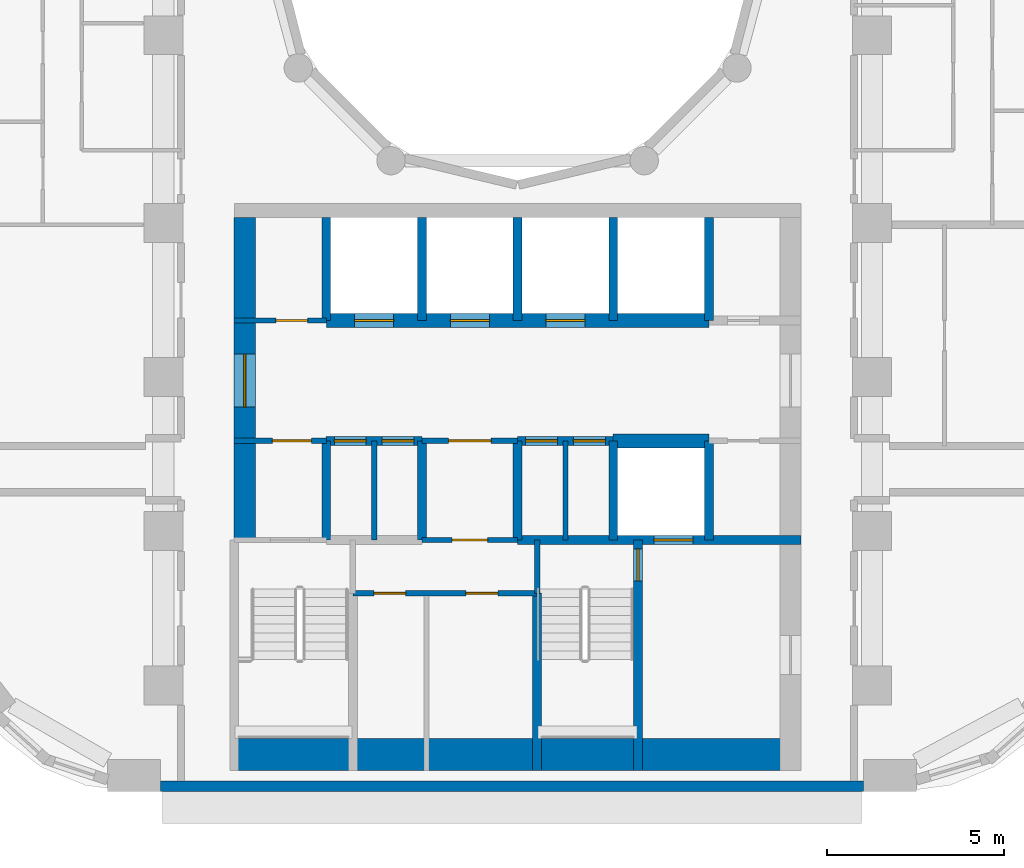
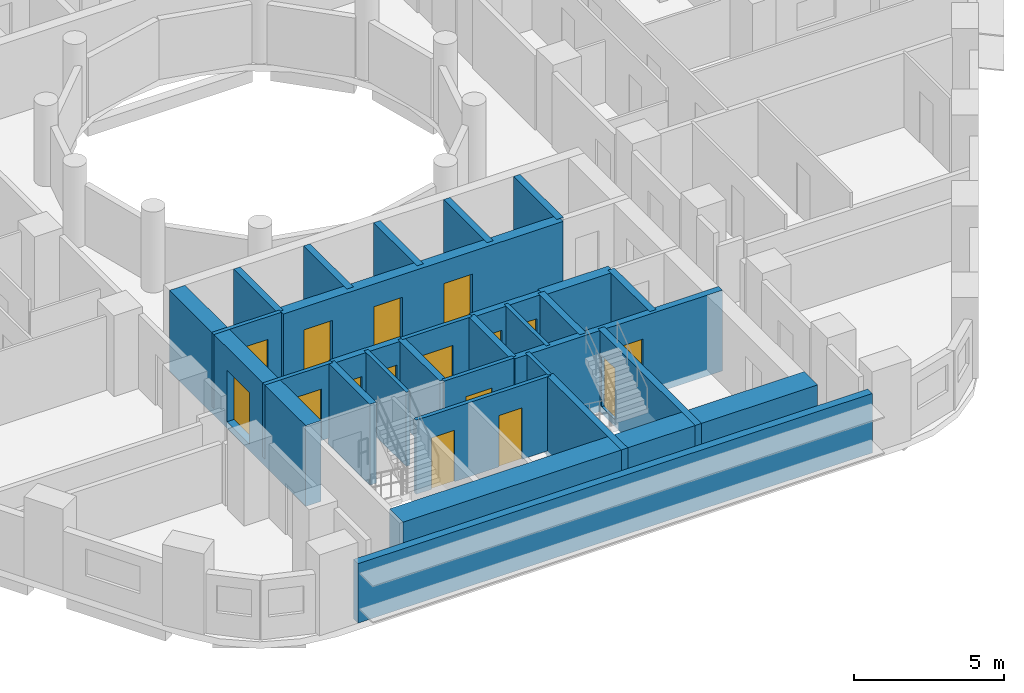
# One storey, part 3 of 12: 28 walls, 16 doors, 16 openings.
"""IFC4 building model written with IfcOpenShell, lengths in metres."""

from ifc_helpers import new_model, si_unit, direction, frame, frame_2d, origin, place, context, subcontext, project, spatial, rectangle, extrude, material, layer, layer_set, type_object, element, fill, save


model = new_model("IFC4")

# Units and contexts
model_context = context("Model", 3, precision=1e-05, world=origin(), true_north=direction((0.0, 1.0)))
body_context = subcontext(model_context, "Body", "Model", "MODEL_VIEW")
ifc_project = project(units=[si_unit("LENGTHUNIT", "METRE"), si_unit("AREAUNIT", "SQUARE_METRE"), si_unit("VOLUMEUNIT", "CUBIC_METRE"), si_unit("PLANEANGLEUNIT", "RADIAN"), si_unit("MASSUNIT", "GRAM", prefix="KILO")], contexts=[model_context])

# Site, building, storey
site_placement = place(None, origin())
site = spatial("IfcSite", under=ifc_project, at=site_placement, CompositionType="ELEMENT")
building_placement = place(site_placement, origin())
building = spatial("IfcBuilding", under=site, at=building_placement, Name="Nakaniwa Court", CompositionType="ELEMENT")
storey_placement = place(building_placement, frame((0.0, 0.0, 54.60009765625)))
storey = spatial("IfcBuildingStorey", under=building, at=storey_placement, Name="L14", CompositionType="ELEMENT", Elevation=54.60009765625)

# Wall
ifc_material_1 = material(Name="Charcoal ceramic cladding")
ifc_layer_1 = layer(ifc_material_1, 0.02, Name="Ceramic cladding")
ifc_material_2 = material(Name="Ventilated air cavity")
ifc_layer_2 = layer(ifc_material_2, 0.04, ventilated=True, Name="Ventilated cavity")
ifc_material_3 = material(Name="Mineral wool insulation")
ifc_layer_3 = layer(ifc_material_3, 0.1, Name="Insulation")
ifc_material_4 = material(Name="Cement bonded sheathing board")
ifc_layer_4 = layer(ifc_material_4, 0.012, Name="Sheathing")
ifc_material_5 = material(Name="Cold-formed galvanised stud frame with mineral wool infill")
ifc_layer_5 = layer(ifc_material_5, 0.1, Name="Stud frame")
ifc_material_6 = material(Name="Fire-rated gypsum plasterboard lining")
ifc_layer_6 = layer(ifc_material_6, 0.028, Name="Lining")
ifc_layer_set_1 = layer_set([ifc_layer_1, ifc_layer_2, ifc_layer_3, ifc_layer_4, ifc_layer_5, ifc_layer_6], Name="Charcoal ceramic faced external wall system")
wall_type_1 = type_object("IfcWallType", Name="Black ceramic faced external wall 300", PredefinedType="SOLIDWALL", material=ifc_layer_set_1)
wall_1_placement = place(storey_placement, frame((69.92138671875, 56.14990234375, 0.0), z_axis=(0.0, 0.0, 1.0), x_axis=(1.0, 0.0, 0.0)))
element("IfcWall", 1, at=wall_1_placement, inside=storey, type_object=wall_type_1, Name="L14 external wall 26", PredefinedType="SOLIDWALL", context=body_context, shape_type="SweptSolid", body=[
    extrude(rectangle(XDim=19.839599609375, YDim=0.300048828125, at=frame_2d((9.919921875, 0.0))), origin(), (0.0, 0.0, 1.0), 2.4248046875),
])

# Wall, opening, door
ifc_material_7 = material(Name="Blockwork partition", Category="masonry")
ifc_layer_7 = layer(ifc_material_7, 0.14990234375)
ifc_layer_set_2 = layer_set([ifc_layer_7], Name="Blockwork partition")
wall_type_2 = type_object("IfcWallType", Name="Blockwork partition 150", PredefinedType="PARTITIONING", material=ifc_layer_set_2)
wall_2_placement = place(storey_placement, frame((72.0, 69.300048828125, 0.0), z_axis=(0.0, 0.0, 1.0), x_axis=(1.0, 0.0, 0.0)))
wall_2 = element("IfcWall", 2, at=wall_2_placement, inside=storey, type_object=wall_type_2, Name="Partition PW-038", PredefinedType="PARTITIONING", context=body_context, shape_type="SweptSolid", body=[
    extrude(rectangle(XDim=2.60009765625, YDim=0.14990234375, at=frame_2d((1.300048828125, 0.0))), origin(), (0.0, 0.0, 1.0), 3.02490234375),
])
opening_1_placement = place(wall_2_placement, frame((1.175048828125, 0.0, 0.0)))
opening_1 = element("IfcOpeningElement", 3, at=opening_1_placement, cuts=wall_2, Name="Opening D-05-10", PredefinedType="OPENING", context=body_context, shape_type="SweptSolid", body=[
    extrude(rectangle(XDim=0.89990234375, YDim=2.10009765625, at=frame_2d((0.449951171875, 1.050048828125))), frame((0.0, 0.0849609375, 0.0), z_axis=(0.0, -1.0, 0.0), x_axis=(1.0, 0.0, 0.0)), (0.0, 0.0, 1.0), 0.169921875),
])
ifc_material_8 = material(Name="Fire rated steel door set", Category="steel")
door_type_1 = type_object("IfcDoorType", Name="Service room door 900", OperationType="NOTDEFINED", PredefinedType="DOOR", material=ifc_material_8)
door_1_placement = place(opening_1_placement, origin())
door_1 = element("IfcDoor", 4, at=door_1_placement, inside=storey, type_object=door_type_1, Name="Door D-05-10 L14-015", OperationType="SINGLE_SWING_RIGHT", OverallHeight=2.10009765625, OverallWidth=0.89990234375, PredefinedType="DOOR", context=body_context, shape_type="SweptSolid", body=[
    extrude(rectangle(XDim=0.89990234375, YDim=2.10009765625, at=frame_2d((0.449951171875, 1.050048828125))), frame((0.0, 0.02490234375, 0.0), z_axis=(0.0, -1.0, 0.0), x_axis=(1.0, 0.0, 0.0)), (0.0, 0.0, 1.0), 0.050048828125),
])
fill(opening_1, door_1)

wall_3_placement = place(storey_placement, frame((74.60302734375, 65.89990234375, 0.0), z_axis=(0.0, 0.0, 1.0), x_axis=(-1.0, 0.0, 0.0)))
wall_3 = element("IfcWall", 5, at=wall_3_placement, inside=storey, type_object=wall_type_2, Name="Partition PW-051", PredefinedType="PARTITIONING", context=body_context, shape_type="SweptSolid", body=[
    extrude(rectangle(XDim=2.60302734375, YDim=0.14990234375, at=frame_2d((1.301513671875, 0.0))), origin(), (0.0, 0.0, 1.0), 3.02490234375),
])
opening_2_placement = place(wall_3_placement, frame((0.427978515625, 0.0, 0.0)))
opening_2 = element("IfcOpeningElement", 6, at=opening_2_placement, cuts=wall_3, Name="Opening D-08-02", PredefinedType="OPENING", context=body_context, shape_type="SweptSolid", body=[
    extrude(rectangle(XDim=1.10009765625, YDim=2.10009765625, at=frame_2d((0.550048828125, 1.050048828125))), frame((0.0, 0.0849609375, 0.0), z_axis=(0.0, -1.0, 0.0), x_axis=(1.0, 0.0, 0.0)), (0.0, 0.0, 1.0), 0.169921875),
])
door_type_2 = type_object("IfcDoorType", Name="Stair lobby door 1100", OperationType="NOTDEFINED", PredefinedType="DOOR", material=ifc_material_8)
door_2_placement = place(opening_2_placement, origin())
door_2 = element("IfcDoor", 7, at=door_2_placement, inside=storey, type_object=door_type_2, Name="Door D-08-02 L14-017", OperationType="SINGLE_SWING_RIGHT", OverallHeight=2.10009765625, OverallWidth=1.10009765625, PredefinedType="DOOR", context=body_context, shape_type="SweptSolid", body=[
    extrude(rectangle(XDim=1.10009765625, YDim=2.10009765625, at=frame_2d((0.550048828125, 1.050048828125))), frame((0.0, 0.02490234375, 0.0), z_axis=(0.0, -1.0, 0.0), x_axis=(1.0, 0.0, 0.0)), (0.0, 0.0, 1.0), 0.050048828125),
])
fill(opening_2, door_2)

wall_4_placement = place(storey_placement, frame((80.0029296875, 65.89990234375, 0.0), z_axis=(0.0, 0.0, 1.0), x_axis=(-1.0, 0.0, 0.0)))
wall_4 = element("IfcWall", 8, at=wall_4_placement, inside=storey, type_object=wall_type_2, Name="Partition PW-052", PredefinedType="PARTITIONING", context=body_context, shape_type="SweptSolid", body=[
    extrude(rectangle(XDim=2.705810546875, YDim=0.14990234375, at=frame_2d((1.35302734375, 0.0))), origin(), (0.0, 0.0, 1.0), 3.02490234375),
])
opening_3_placement = place(wall_4_placement, frame((0.7529296875, 0.0, 0.0)))
opening_3 = element("IfcOpeningElement", 9, at=opening_3_placement, cuts=wall_4, Name="Opening D-06-02", PredefinedType="OPENING", context=body_context, shape_type="SweptSolid", body=[
    extrude(rectangle(XDim=1.199951171875, YDim=2.10009765625, at=frame_2d((0.60009765625, 1.050048828125))), frame((0.0, 0.0849609375, 0.0), z_axis=(0.0, -1.0, 0.0), x_axis=(1.0, 0.0, 0.0)), (0.0, 0.0, 1.0), 0.169921875),
])
ifc_material_9 = material(Name="Fire rated steel double door set", Category="steel")
door_type_3 = type_object("IfcDoorType", Name="Service passage double door 1200", OperationType="NOTDEFINED", PredefinedType="DOOR", material=ifc_material_9)
door_3_placement = place(opening_3_placement, origin())
door_3 = element("IfcDoor", 10, at=door_3_placement, inside=storey, type_object=door_type_3, Name="Door D-06-02 L14-020", OperationType="DOUBLE_DOOR_SINGLE_SWING", OverallHeight=2.10009765625, OverallWidth=1.199951171875, PredefinedType="DOOR", context=body_context, shape_type="SweptSolid", body=[
    extrude(rectangle(XDim=1.199951171875, YDim=2.10009765625, at=frame_2d((0.60009765625, 1.050048828125))), frame((0.0, 0.02490234375, 0.0), z_axis=(0.0, -1.0, 0.0), x_axis=(1.0, 0.0, 0.0)), (0.0, 0.0, 1.0), 0.050048828125),
])
fill(opening_3, door_3)

# Wall
wall_5_placement = place(storey_placement, frame((75.949951171875, 63.10009765625, 0.0), z_axis=(0.0, 0.0, 1.0), x_axis=(0.0, 1.0, 0.0)))
element("IfcWall", 11, at=wall_5_placement, inside=storey, type_object=wall_type_2, Name="Partition PW-058", PredefinedType="PARTITIONING", context=body_context, shape_type="SweptSolid", body=[
    extrude(rectangle(XDim=2.7998046875, YDim=0.14990234375, at=frame_2d((1.39990234375, 0.0))), origin(), (0.0, 0.0, 1.0), 3.02490234375),
])

# Wall, opening, door
wall_6_placement = place(storey_placement, frame((80.0, 63.10009765625, 0.0), z_axis=(0.0, 0.0, 1.0), x_axis=(-1.0, 0.0, 0.0)))
wall_6 = element("IfcWall", 12, at=wall_6_placement, inside=storey, type_object=wall_type_2, Name="Partition PW-061", PredefinedType="PARTITIONING", context=body_context, shape_type="SweptSolid", body=[
    extrude(rectangle(XDim=2.699951171875, YDim=0.14990234375, at=frame_2d((1.35009765625, 0.0))), origin(), (0.0, 0.0, 1.0), 3.02490234375),
])
opening_4_placement = place(wall_6_placement, frame((0.85009765625, 0.0, 0.0)))
opening_4 = element("IfcOpeningElement", 13, at=opening_4_placement, cuts=wall_6, Name="Opening D-23-02", PredefinedType="OPENING", context=body_context, shape_type="SweptSolid", body=[
    extrude(rectangle(XDim=1.0, YDim=2.10009765625, at=frame_2d((0.5, 1.050048828125))), frame((0.0, 0.0849609375, 0.0), z_axis=(0.0, -1.0, 0.0), x_axis=(1.0, 0.0, 0.0)), (0.0, 0.0, 1.0), 0.169921875),
])
door_type_4 = type_object("IfcDoorType", Name="Service room door 1000", OperationType="NOTDEFINED", PredefinedType="DOOR", material=ifc_material_8)
door_4_placement = place(opening_4_placement, origin())
door_4 = element("IfcDoor", 14, at=door_4_placement, inside=storey, type_object=door_type_4, Name="Door D-23-02 L14-024", OperationType="SINGLE_SWING_LEFT", OverallHeight=2.10009765625, OverallWidth=1.0, PredefinedType="DOOR", context=body_context, shape_type="SweptSolid", body=[
    extrude(rectangle(XDim=1.0, YDim=2.10009765625, at=frame_2d((0.5, 1.050048828125))), frame((0.0, 0.02490234375, 0.0), z_axis=(0.0, -1.0, 0.0), x_axis=(1.0, 0.0, 0.0)), (0.0, 0.0, 1.0), 0.050048828125),
])
fill(opening_4, door_4)

# Wall
wall_7_placement = place(storey_placement, frame((81.35009765625, 63.10009765625, 0.0), z_axis=(0.0, 0.0, 1.0), x_axis=(0.0, 1.0, 0.0)))
element("IfcWall", 15, at=wall_7_placement, inside=storey, type_object=wall_type_2, Name="Partition PW-062", PredefinedType="PARTITIONING", context=body_context, shape_type="SweptSolid", body=[
    extrude(rectangle(XDim=2.7998046875, YDim=0.14990234375, at=frame_2d((1.39990234375, 0.0))), origin(), (0.0, 0.0, 1.0), 3.02490234375),
])

# Wall, openings, doors
wall_8_placement = place(storey_placement, frame((80.550048828125, 61.60009765625, 0.0), z_axis=(0.0, 0.0, 1.0), x_axis=(-1.0, 0.0, 0.0)))
wall_8 = element("IfcWall", 16, at=wall_8_placement, inside=storey, type_object=wall_type_2, Name="Partition PW-069", PredefinedType="PARTITIONING", context=body_context, shape_type="SweptSolid", body=[
    extrude(rectangle(XDim=5.199951171875, YDim=0.14990234375, at=frame_2d((2.60009765625, 0.0))), origin(), (0.0, 0.0, 1.0), 3.02490234375),
])
opening_5_placement = place(wall_8_placement, frame((3.7099609375, 0.0, 0.0)))
opening_5 = element("IfcOpeningElement", 17, at=opening_5_placement, cuts=wall_8, Name="Opening D-05-17", PredefinedType="OPENING", context=body_context, shape_type="SweptSolid", body=[
    extrude(rectangle(XDim=0.89990234375, YDim=2.10009765625, at=frame_2d((0.449951171875, 1.050048828125))), frame((0.0, 0.0849609375, 0.0), z_axis=(0.0, -1.0, 0.0), x_axis=(1.0, 0.0, 0.0)), (0.0, 0.0, 1.0), 0.169921875),
])
opening_6_placement = place(wall_8_placement, frame((1.110107421875, 0.0, 0.0)))
opening_6 = element("IfcOpeningElement", 18, at=opening_6_placement, cuts=wall_8, Name="Opening D-05-18", PredefinedType="OPENING", context=body_context, shape_type="SweptSolid", body=[
    extrude(rectangle(XDim=0.89990234375, YDim=2.10009765625, at=frame_2d((0.449951171875, 1.050048828125))), frame((0.0, 0.0849609375, 0.0), z_axis=(0.0, -1.0, 0.0), x_axis=(1.0, 0.0, 0.0)), (0.0, 0.0, 1.0), 0.169921875),
])
door_5_placement = place(opening_5_placement, origin())
door_5 = element("IfcDoor", 19, at=door_5_placement, inside=storey, type_object=door_type_1, Name="Door D-05-17 L14-025", OperationType="SINGLE_SWING_RIGHT", OverallHeight=2.10009765625, OverallWidth=0.89990234375, PredefinedType="DOOR", context=body_context, shape_type="SweptSolid", body=[
    extrude(rectangle(XDim=0.89990234375, YDim=2.10009765625, at=frame_2d((0.449951171875, 1.050048828125))), frame((0.0, 0.02490234375, 0.0), z_axis=(0.0, -1.0, 0.0), x_axis=(1.0, 0.0, 0.0)), (0.0, 0.0, 1.0), 0.050048828125),
])
fill(opening_5, door_5)
door_6_placement = place(opening_6_placement, origin())
door_6 = element("IfcDoor", 20, at=door_6_placement, inside=storey, type_object=door_type_1, Name="Door D-05-18 L14-026", OperationType="SINGLE_SWING_LEFT", OverallHeight=2.10009765625, OverallWidth=0.89990234375, PredefinedType="DOOR", context=body_context, shape_type="SweptSolid", body=[
    extrude(rectangle(XDim=0.89990234375, YDim=2.10009765625, at=frame_2d((0.449951171875, 1.050048828125))), frame((0.0, 0.02490234375, 0.0), z_axis=(0.0, -1.0, 0.0), x_axis=(1.0, 0.0, 0.0)), (0.0, 0.0, 1.0), 0.050048828125),
])
fill(opening_6, door_6)

# Wall, opening, door
ifc_material_10 = material(Name="Concrete C100/115", Category="concrete")
ifc_layer_8 = layer(ifc_material_10, 0.60009765625)
ifc_layer_set_3 = layer_set([ifc_layer_8], Name="Concrete C100/115")
wall_type_3 = type_object("IfcWallType", Name="Concrete core side wall 600 C100", PredefinedType="SHEAR", material=ifc_layer_set_3)
wall_9_placement = place(storey_placement, frame((72.300048828125, 63.10009765625, -0.275146484375), z_axis=(0.0, 0.0, 1.0), x_axis=(0.0, 1.0, 0.0)))
wall_9 = element("IfcWall", 21, at=wall_9_placement, inside=storey, type_object=wall_type_3, Name="Core wall SW-39", PredefinedType="SHEAR", context=body_context, shape_type="SweptSolid", body=[
    extrude(rectangle(XDim=9.099853515625, YDim=0.60009765625, at=frame_2d((4.5498046875, 0.0))), origin(), (0.0, 0.0, 1.0), 3.300048828125),
])
opening_7_placement = place(wall_9_placement, frame((3.75, 0.0, 0.27490234375)))
opening_7 = element("IfcOpeningElement", 22, at=opening_7_placement, cuts=wall_9, Name="Opening D-07-04", PredefinedType="OPENING", context=body_context, shape_type="SweptSolid", body=[
    extrude(rectangle(XDim=1.5, YDim=2.10009765625, at=frame_2d((0.75, 1.050048828125))), frame((0.0, 0.31005859375, 0.0), z_axis=(0.0, -1.0, 0.0), x_axis=(1.0, 0.0, 0.0)), (0.0, 0.0, 1.0), 0.6201171875),
])
ifc_material_11 = material(Name="Glazed fire rated steel double door set", Category="steel")
door_type_5 = type_object("IfcDoorType", Name="Lobby double door 1500", OperationType="NOTDEFINED", PredefinedType="DOOR", material=ifc_material_11)
door_7_placement = place(opening_7_placement, origin())
door_7 = element("IfcDoor", 23, at=door_7_placement, inside=storey, type_object=door_type_5, Name="Door D-07-04 L14-060", OperationType="DOUBLE_DOOR_SINGLE_SWING", OverallHeight=2.10009765625, OverallWidth=1.5, PredefinedType="DOOR", context=body_context, shape_type="SweptSolid", body=[
    extrude(rectangle(XDim=1.5, YDim=2.10009765625, at=frame_2d((0.75, 1.050048828125))), frame((0.0, 0.02490234375, 0.0), z_axis=(0.0, -1.0, 0.0), x_axis=(1.0, 0.0, 0.0)), (0.0, 0.0, 1.0), 0.050048828125),
])
fill(opening_7, door_7)

# Wall, openings, doors
ifc_layer_9 = layer(ifc_material_10, 0.39990234375)
ifc_layer_set_4 = layer_set([ifc_layer_9], Name="Concrete C100/115")
wall_type_4 = type_object("IfcWallType", Name="Concrete core spine wall 400 C100", PredefinedType="SHEAR", material=ifc_layer_set_4)
wall_10_placement = place(storey_placement, frame((74.60009765625, 69.300048828125, -0.275146484375), z_axis=(0.0, 0.0, 1.0), x_axis=(1.0, 0.0, 0.0)))
wall_10 = element("IfcWall", 24, at=wall_10_placement, inside=storey, type_object=wall_type_4, Name="Core wall SW-42", PredefinedType="SHEAR", context=body_context, shape_type="SweptSolid", body=[
    extrude(rectangle(XDim=10.7998046875, YDim=0.39990234375, at=frame_2d((5.39990234375, 0.0))), origin(), (0.0, 0.0, 1.0), 3.300048828125),
])
opening_8_placement = place(wall_10_placement, frame((0.800048828125, 0.0, 0.27490234375)))
opening_8 = element("IfcOpeningElement", 25, at=opening_8_placement, cuts=wall_10, Name="Opening LD05", PredefinedType="OPENING", context=body_context, shape_type="SweptSolid", body=[
    extrude(rectangle(XDim=1.10009765625, YDim=2.10009765625, at=frame_2d((0.550048828125, 1.050048828125))), frame((0.0, 0.2099609375, 0.0), z_axis=(0.0, -1.0, 0.0), x_axis=(1.0, 0.0, 0.0)), (0.0, 0.0, 1.0), 0.419921875),
])
opening_9_placement = place(wall_10_placement, frame((3.5, 0.0, 0.27490234375)))
opening_9 = element("IfcOpeningElement", 26, at=opening_9_placement, cuts=wall_10, Name="Opening LD06", PredefinedType="OPENING", context=body_context, shape_type="SweptSolid", body=[
    extrude(rectangle(XDim=1.10009765625, YDim=2.10009765625, at=frame_2d((0.550048828125, 1.050048828125))), frame((0.0, 0.2099609375, 0.0), z_axis=(0.0, -1.0, 0.0), x_axis=(1.0, 0.0, 0.0)), (0.0, 0.0, 1.0), 0.419921875),
])
opening_10_placement = place(wall_10_placement, frame((6.199951171875, 0.0, 0.27490234375)))
opening_10 = element("IfcOpeningElement", 27, at=opening_10_placement, cuts=wall_10, Name="Opening LD07", PredefinedType="OPENING", context=body_context, shape_type="SweptSolid", body=[
    extrude(rectangle(XDim=1.10009765625, YDim=2.10009765625, at=frame_2d((0.550048828125, 1.050048828125))), frame((0.0, 0.2099609375, 0.0), z_axis=(0.0, -1.0, 0.0), x_axis=(1.0, 0.0, 0.0)), (0.0, 0.0, 1.0), 0.419921875),
])
ifc_material_12 = material(Name="Stainless steel sliding lift landing door", Category="steel")
door_type_6 = type_object("IfcDoorType", Name="Lift landing door 1100", OperationType="NOTDEFINED", PredefinedType="DOOR", material=ifc_material_12)
door_8_placement = place(opening_8_placement, origin())
door_8 = element("IfcDoor", 28, at=door_8_placement, inside=storey, type_object=door_type_6, Name="Lift landing door LD05 L14-005", OperationType="SLIDING_TO_LEFT", OverallHeight=2.10009765625, OverallWidth=1.10009765625, PredefinedType="DOOR", context=body_context, shape_type="SweptSolid", body=[
    extrude(rectangle(XDim=1.10009765625, YDim=2.10009765625, at=frame_2d((0.550048828125, 1.050048828125))), frame((0.0, 0.02490234375, 0.0), z_axis=(0.0, -1.0, 0.0), x_axis=(1.0, 0.0, 0.0)), (0.0, 0.0, 1.0), 0.050048828125),
])
fill(opening_8, door_8)
door_9_placement = place(opening_9_placement, origin())
door_9 = element("IfcDoor", 29, at=door_9_placement, inside=storey, type_object=door_type_6, Name="Lift landing door LD06 L14-006", OperationType="SLIDING_TO_LEFT", OverallHeight=2.10009765625, OverallWidth=1.10009765625, PredefinedType="DOOR", context=body_context, shape_type="SweptSolid", body=[
    extrude(rectangle(XDim=1.10009765625, YDim=2.10009765625, at=frame_2d((0.550048828125, 1.050048828125))), frame((0.0, 0.02490234375, 0.0), z_axis=(0.0, -1.0, 0.0), x_axis=(1.0, 0.0, 0.0)), (0.0, 0.0, 1.0), 0.050048828125),
])
fill(opening_9, door_9)
door_10_placement = place(opening_10_placement, origin())
door_10 = element("IfcDoor", 30, at=door_10_placement, inside=storey, type_object=door_type_6, Name="Lift landing door LD07 L14-007", OperationType="SLIDING_TO_LEFT", OverallHeight=2.10009765625, OverallWidth=1.10009765625, PredefinedType="DOOR", context=body_context, shape_type="SweptSolid", body=[
    extrude(rectangle(XDim=1.10009765625, YDim=2.10009765625, at=frame_2d((0.550048828125, 1.050048828125))), frame((0.0, 0.02490234375, 0.0), z_axis=(0.0, -1.0, 0.0), x_axis=(1.0, 0.0, 0.0)), (0.0, 0.0, 1.0), 0.050048828125),
])
fill(opening_10, door_10)

# Walls
wall_11_placement = place(storey_placement, frame((82.697021484375, 65.89990234375, -0.275146484375), z_axis=(0.0, 0.0, 1.0), x_axis=(1.0, 0.0, 0.0)))
element("IfcWall", 31, at=wall_11_placement, inside=storey, type_object=wall_type_4, Name="Core wall SW-56", PredefinedType="SHEAR", context=body_context, shape_type="SweptSolid", body=[
    extrude(rectangle(XDim=2.7060546875, YDim=0.39990234375, at=frame_2d((1.35302734375, 0.0))), origin(), (0.0, 0.0, 1.0), 3.300048828125),
])
ifc_layer_10 = layer(ifc_material_10, 0.14990234375)
ifc_layer_set_5 = layer_set([ifc_layer_10], Name="Concrete C100/115")
wall_type_5 = type_object("IfcWallType", Name="Concrete core wall 150 C100", PredefinedType="SHEAR", material=ifc_layer_set_5)
wall_12_placement = place(storey_placement, frame((80.550048828125, 61.596923828125, -0.275146484375), z_axis=(0.0, 0.0, 1.0), x_axis=(0.0, 1.0, 0.0)))
element("IfcWall", 32, at=wall_12_placement, inside=storey, type_object=wall_type_5, Name="Core wall SW-67", PredefinedType="SHEAR", context=body_context, shape_type="SweptSolid", body=[
    extrude(rectangle(XDim=1.503173828125, YDim=0.14990234375, at=frame_2d((0.75146484375, 0.0))), origin(), (0.0, 0.0, 1.0), 3.300048828125),
])
ifc_layer_11 = layer(ifc_material_10, 0.89990234375)
ifc_layer_set_6 = layer_set([ifc_layer_11], Name="Concrete C100/115")
wall_type_6 = type_object("IfcWallType", Name="Concrete core wall 900 C100", PredefinedType="SHEAR", material=ifc_layer_set_6)
wall_13_placement = place(storey_placement, frame((72.00390625, 57.050048828125, -0.275146484375), z_axis=(0.0, 0.0, 1.0), x_axis=(1.0, 0.0, 0.0)))
element("IfcWall", 33, at=wall_13_placement, inside=storey, type_object=wall_type_6, Name="Core wall SW-136", PredefinedType="SHEAR", context=body_context, shape_type="SweptSolid", body=[
    extrude(rectangle(XDim=15.9921875, YDim=0.89990234375, at=frame_2d((7.99609375, 0.0))), origin(), (0.0, 0.0, 1.0), 3.300048828125),
])
ifc_layer_12 = layer(ifc_material_10, 0.25)
ifc_layer_set_7 = layer_set([ifc_layer_12], Name="Concrete C100/115")
wall_type_7 = type_object("IfcWallType", Name="Concrete shaft wall 250 C100", PredefinedType="SHEAR", material=ifc_layer_set_7)
wall_14_placement = place(storey_placement, frame((74.60009765625, 63.10009765625, -0.275146484375), z_axis=(0.0, 0.0, 1.0), x_axis=(0.0, 1.0, 0.0)))
element("IfcWall", 34, at=wall_14_placement, inside=storey, type_object=wall_type_7, Name="Core wall SW-36", PredefinedType="SHEAR", context=body_context, shape_type="SweptSolid", body=[
    extrude(rectangle(XDim=2.7998046875, YDim=0.25, at=frame_2d((1.39990234375, 0.0))), origin(), (0.0, 0.0, 1.0), 3.300048828125),
])
wall_15_placement = place(storey_placement, frame((74.60009765625, 69.300048828125, -0.275146484375), z_axis=(0.0, 0.0, 1.0), x_axis=(0.0, 1.0, 0.0)))
element("IfcWall", 35, at=wall_15_placement, inside=storey, type_object=wall_type_7, Name="Core wall SW-37", PredefinedType="SHEAR", context=body_context, shape_type="SweptSolid", body=[
    extrude(rectangle(XDim=2.89990234375, YDim=0.25, at=frame_2d((1.449951171875, 0.0))), origin(), (0.0, 0.0, 1.0), 3.300048828125),
])
wall_16_placement = place(storey_placement, frame((77.300048828125, 63.10009765625, -0.275146484375), z_axis=(0.0, 0.0, 1.0), x_axis=(0.0, 1.0, 0.0)))
element("IfcWall", 36, at=wall_16_placement, inside=storey, type_object=wall_type_7, Name="Core wall SW-40", PredefinedType="SHEAR", context=body_context, shape_type="SweptSolid", body=[
    extrude(rectangle(XDim=2.7998046875, YDim=0.25, at=frame_2d((1.39990234375, 0.0))), origin(), (0.0, 0.0, 1.0), 3.300048828125),
])
wall_17_placement = place(storey_placement, frame((77.300048828125, 69.300048828125, -0.275146484375), z_axis=(0.0, 0.0, 1.0), x_axis=(0.0, 1.0, 0.0)))
element("IfcWall", 37, at=wall_17_placement, inside=storey, type_object=wall_type_7, Name="Core wall SW-41", PredefinedType="SHEAR", context=body_context, shape_type="SweptSolid", body=[
    extrude(rectangle(XDim=2.89990234375, YDim=0.25, at=frame_2d((1.449951171875, 0.0))), origin(), (0.0, 0.0, 1.0), 3.300048828125),
])
wall_18_placement = place(storey_placement, frame((80.0, 63.10009765625, -0.275146484375), z_axis=(0.0, 0.0, 1.0), x_axis=(0.0, 1.0, 0.0)))
element("IfcWall", 38, at=wall_18_placement, inside=storey, type_object=wall_type_7, Name="Core wall SW-43", PredefinedType="SHEAR", context=body_context, shape_type="SweptSolid", body=[
    extrude(rectangle(XDim=2.7998046875, YDim=0.25, at=frame_2d((1.39990234375, 0.0))), origin(), (0.0, 0.0, 1.0), 3.300048828125),
])
wall_19_placement = place(storey_placement, frame((80.0, 69.300048828125, -0.275146484375), z_axis=(0.0, 0.0, 1.0), x_axis=(0.0, 1.0, 0.0)))
element("IfcWall", 39, at=wall_19_placement, inside=storey, type_object=wall_type_7, Name="Core wall SW-44", PredefinedType="SHEAR", context=body_context, shape_type="SweptSolid", body=[
    extrude(rectangle(XDim=2.89990234375, YDim=0.25, at=frame_2d((1.449951171875, 0.0))), origin(), (0.0, 0.0, 1.0), 3.300048828125),
])
wall_20_placement = place(storey_placement, frame((82.699951171875, 63.10009765625, -0.275146484375), z_axis=(0.0, 0.0, 1.0), x_axis=(0.0, 1.0, 0.0)))
element("IfcWall", 40, at=wall_20_placement, inside=storey, type_object=wall_type_7, Name="Core wall SW-45", PredefinedType="SHEAR", context=body_context, shape_type="SweptSolid", body=[
    extrude(rectangle(XDim=2.7998046875, YDim=0.25, at=frame_2d((1.39990234375, 0.0))), origin(), (0.0, 0.0, 1.0), 3.300048828125),
])
wall_21_placement = place(storey_placement, frame((82.699951171875, 69.300048828125, -0.275146484375), z_axis=(0.0, 0.0, 1.0), x_axis=(0.0, 1.0, 0.0)))
element("IfcWall", 41, at=wall_21_placement, inside=storey, type_object=wall_type_7, Name="Core wall SW-46", PredefinedType="SHEAR", context=body_context, shape_type="SweptSolid", body=[
    extrude(rectangle(XDim=2.89990234375, YDim=0.25, at=frame_2d((1.449951171875, 0.0))), origin(), (0.0, 0.0, 1.0), 3.300048828125),
])
wall_22_placement = place(storey_placement, frame((85.39990234375, 63.10009765625, -0.275146484375), z_axis=(0.0, 0.0, 1.0), x_axis=(0.0, 1.0, 0.0)))
element("IfcWall", 42, at=wall_22_placement, inside=storey, type_object=wall_type_7, Name="Core wall SW-47", PredefinedType="SHEAR", context=body_context, shape_type="SweptSolid", body=[
    extrude(rectangle(XDim=2.7998046875, YDim=0.25, at=frame_2d((1.39990234375, 0.0))), origin(), (0.0, 0.0, 1.0), 3.300048828125),
])
wall_23_placement = place(storey_placement, frame((85.39990234375, 69.300048828125, -0.275146484375), z_axis=(0.0, 0.0, 1.0), x_axis=(0.0, 1.0, 0.0)))
element("IfcWall", 43, at=wall_23_placement, inside=storey, type_object=wall_type_7, Name="Core wall SW-48", PredefinedType="SHEAR", context=body_context, shape_type="SweptSolid", body=[
    extrude(rectangle(XDim=2.89990234375, YDim=0.25, at=frame_2d((1.449951171875, 0.0))), origin(), (0.0, 0.0, 1.0), 3.300048828125),
])

# Wall, openings, doors
wall_24_placement = place(storey_placement, frame((77.302978515625, 65.89990234375, -0.275146484375), z_axis=(0.0, 0.0, 1.0), x_axis=(-1.0, 0.0, 0.0)))
wall_24 = element("IfcWall", 44, at=wall_24_placement, inside=storey, type_object=wall_type_7, Name="Core wall SW-54", PredefinedType="SHEAR", context=body_context, shape_type="SweptSolid", body=[
    extrude(rectangle(XDim=2.7060546875, YDim=0.25, at=frame_2d((1.35302734375, 0.0))), origin(), (0.0, 0.0, 1.0), 3.300048828125),
])
opening_11_placement = place(wall_24_placement, frame((1.577880859375, 0.0, 0.27490234375)))
opening_11 = element("IfcOpeningElement", 45, at=opening_11_placement, cuts=wall_24, Name="Opening D-05-12", PredefinedType="OPENING", context=body_context, shape_type="SweptSolid", body=[
    extrude(rectangle(XDim=0.89990234375, YDim=2.10009765625, at=frame_2d((0.449951171875, 1.050048828125))), frame((0.0, 0.135009765625, 0.0), z_axis=(0.0, -1.0, 0.0), x_axis=(1.0, 0.0, 0.0)), (0.0, 0.0, 1.0), 0.27001953125),
])
opening_12_placement = place(wall_24_placement, frame((0.22802734375, 0.0, 0.27490234375)))
opening_12 = element("IfcOpeningElement", 46, at=opening_12_placement, cuts=wall_24, Name="Opening D-05-13", PredefinedType="OPENING", context=body_context, shape_type="SweptSolid", body=[
    extrude(rectangle(XDim=0.89990234375, YDim=2.10009765625, at=frame_2d((0.449951171875, 1.050048828125))), frame((0.0, 0.135009765625, 0.0), z_axis=(0.0, -1.0, 0.0), x_axis=(1.0, 0.0, 0.0)), (0.0, 0.0, 1.0), 0.27001953125),
])
door_11_placement = place(opening_11_placement, origin())
door_11 = element("IfcDoor", 47, at=door_11_placement, inside=storey, type_object=door_type_1, Name="Door D-05-12 L14-018", OperationType="SINGLE_SWING_LEFT", OverallHeight=2.10009765625, OverallWidth=0.89990234375, PredefinedType="DOOR", context=body_context, shape_type="SweptSolid", body=[
    extrude(rectangle(XDim=0.89990234375, YDim=2.10009765625, at=frame_2d((0.449951171875, 1.050048828125))), frame((0.0, 0.02490234375, 0.0), z_axis=(0.0, -1.0, 0.0), x_axis=(1.0, 0.0, 0.0)), (0.0, 0.0, 1.0), 0.050048828125),
])
fill(opening_11, door_11)
door_12_placement = place(opening_12_placement, origin())
door_12 = element("IfcDoor", 48, at=door_12_placement, inside=storey, type_object=door_type_1, Name="Door D-05-13 L14-019", OperationType="SINGLE_SWING_RIGHT", OverallHeight=2.10009765625, OverallWidth=0.89990234375, PredefinedType="DOOR", context=body_context, shape_type="SweptSolid", body=[
    extrude(rectangle(XDim=0.89990234375, YDim=2.10009765625, at=frame_2d((0.449951171875, 1.050048828125))), frame((0.0, 0.02490234375, 0.0), z_axis=(0.0, -1.0, 0.0), x_axis=(1.0, 0.0, 0.0)), (0.0, 0.0, 1.0), 0.050048828125),
])
fill(opening_12, door_12)

wall_25_placement = place(storey_placement, frame((82.702880859375, 65.89990234375, -0.275146484375), z_axis=(0.0, 0.0, 1.0), x_axis=(-1.0, 0.0, 0.0)))
wall_25 = element("IfcWall", 49, at=wall_25_placement, inside=storey, type_object=wall_type_7, Name="Core wall SW-55", PredefinedType="SHEAR", context=body_context, shape_type="SweptSolid", body=[
    extrude(rectangle(XDim=2.705810546875, YDim=0.25, at=frame_2d((1.35302734375, 0.0))), origin(), (0.0, 0.0, 1.0), 3.300048828125),
])
opening_13_placement = place(wall_25_placement, frame((1.577880859375, 0.0, 0.27490234375)))
opening_13 = element("IfcOpeningElement", 50, at=opening_13_placement, cuts=wall_25, Name="Opening D-05-14", PredefinedType="OPENING", context=body_context, shape_type="SweptSolid", body=[
    extrude(rectangle(XDim=0.89990234375, YDim=2.10009765625, at=frame_2d((0.449951171875, 1.050048828125))), frame((0.0, 0.135009765625, 0.0), z_axis=(0.0, -1.0, 0.0), x_axis=(1.0, 0.0, 0.0)), (0.0, 0.0, 1.0), 0.27001953125),
])
opening_14_placement = place(wall_25_placement, frame((0.22802734375, 0.0, 0.27490234375)))
opening_14 = element("IfcOpeningElement", 51, at=opening_14_placement, cuts=wall_25, Name="Opening D-05-15", PredefinedType="OPENING", context=body_context, shape_type="SweptSolid", body=[
    extrude(rectangle(XDim=0.89990234375, YDim=2.10009765625, at=frame_2d((0.449951171875, 1.050048828125))), frame((0.0, 0.135009765625, 0.0), z_axis=(0.0, -1.0, 0.0), x_axis=(1.0, 0.0, 0.0)), (0.0, 0.0, 1.0), 0.27001953125),
])
door_13_placement = place(opening_13_placement, origin())
door_13 = element("IfcDoor", 52, at=door_13_placement, inside=storey, type_object=door_type_1, Name="Door D-05-14 L14-021", OperationType="SINGLE_SWING_RIGHT", OverallHeight=2.10009765625, OverallWidth=0.89990234375, PredefinedType="DOOR", context=body_context, shape_type="SweptSolid", body=[
    extrude(rectangle(XDim=0.89990234375, YDim=2.10009765625, at=frame_2d((0.449951171875, 1.050048828125))), frame((0.0, 0.02490234375, 0.0), z_axis=(0.0, -1.0, 0.0), x_axis=(1.0, 0.0, 0.0)), (0.0, 0.0, 1.0), 0.050048828125),
])
fill(opening_13, door_13)
door_14_placement = place(opening_14_placement, origin())
door_14 = element("IfcDoor", 53, at=door_14_placement, inside=storey, type_object=door_type_1, Name="Door D-05-15 L14-022", OperationType="SINGLE_SWING_LEFT", OverallHeight=2.10009765625, OverallWidth=0.89990234375, PredefinedType="DOOR", context=body_context, shape_type="SweptSolid", body=[
    extrude(rectangle(XDim=0.89990234375, YDim=2.10009765625, at=frame_2d((0.449951171875, 1.050048828125))), frame((0.0, 0.02490234375, 0.0), z_axis=(0.0, -1.0, 0.0), x_axis=(1.0, 0.0, 0.0)), (0.0, 0.0, 1.0), 0.050048828125),
])
fill(opening_14, door_14)

# Wall, opening, door
wall_26_placement = place(storey_placement, frame((80.0, 63.10009765625, -0.275146484375), z_axis=(0.0, 0.0, 1.0), x_axis=(1.0, 0.0, 0.0)))
wall_26 = element("IfcWall", 54, at=wall_26_placement, inside=storey, type_object=wall_type_7, Name="Core wall SW-60", PredefinedType="SHEAR", context=body_context, shape_type="SweptSolid", body=[
    extrude(rectangle(XDim=8.0, YDim=0.25, at=frame_2d((4.0, 0.0))), origin(), (0.0, 0.0, 1.0), 3.300048828125),
])
opening_15_placement = place(wall_26_placement, frame((3.84912109375, 0.0, 0.27490234375)))
opening_15 = element("IfcOpeningElement", 55, at=opening_15_placement, cuts=wall_26, Name="Opening LD08", PredefinedType="OPENING", context=body_context, shape_type="SweptSolid", body=[
    extrude(rectangle(XDim=1.10009765625, YDim=2.10009765625, at=frame_2d((0.550048828125, 1.050048828125))), frame((0.0, 0.135009765625, 0.0), z_axis=(0.0, -1.0, 0.0), x_axis=(1.0, 0.0, 0.0)), (0.0, 0.0, 1.0), 0.27001953125),
])
door_15_placement = place(opening_15_placement, origin())
door_15 = element("IfcDoor", 56, at=door_15_placement, inside=storey, type_object=door_type_6, Name="Lift landing door LD08 L14-008", OperationType="SLIDING_TO_LEFT", OverallHeight=2.10009765625, OverallWidth=1.10009765625, PredefinedType="DOOR", context=body_context, shape_type="SweptSolid", body=[
    extrude(rectangle(XDim=1.10009765625, YDim=2.10009765625, at=frame_2d((0.550048828125, 1.050048828125))), frame((0.0, 0.02490234375, 0.0), z_axis=(0.0, -1.0, 0.0), x_axis=(1.0, 0.0, 0.0)), (0.0, 0.0, 1.0), 0.050048828125),
])
fill(opening_15, door_15)

wall_27_placement = place(storey_placement, frame((83.39990234375, 63.10009765625, -0.275146484375), z_axis=(0.0, 0.0, 1.0), x_axis=(0.0, -1.0, 0.0)))
wall_27 = element("IfcWall", 57, at=wall_27_placement, inside=storey, type_object=wall_type_7, Name="Core wall SW-66", PredefinedType="SHEAR", context=body_context, shape_type="SweptSolid", body=[
    extrude(rectangle(XDim=6.5, YDim=0.25, at=frame_2d((3.25, 0.0))), origin(), (0.0, 0.0, 1.0), 3.300048828125),
])
opening_16_placement = place(wall_27_placement, frame((0.25, 0.0, 0.27490234375)))
opening_16 = element("IfcOpeningElement", 58, at=opening_16_placement, cuts=wall_27, Name="Opening D-11-02", PredefinedType="OPENING", context=body_context, shape_type="SweptSolid", body=[
    extrude(rectangle(XDim=0.89990234375, YDim=2.10009765625, at=frame_2d((0.449951171875, 1.050048828125))), frame((0.0, 0.135009765625, 0.0), z_axis=(0.0, -1.0, 0.0), x_axis=(1.0, 0.0, 0.0)), (0.0, 0.0, 1.0), 0.27001953125),
])
door_type_7 = type_object("IfcDoorType", Name="Stair door 900", OperationType="NOTDEFINED", PredefinedType="DOOR", material=ifc_material_8)
door_16_placement = place(opening_16_placement, origin())
door_16 = element("IfcDoor", 59, at=door_16_placement, inside=storey, type_object=door_type_7, Name="Door D-11-02 L14-028", OperationType="SINGLE_SWING_RIGHT", OverallHeight=2.10009765625, OverallWidth=0.89990234375, PredefinedType="DOOR", context=body_context, shape_type="SweptSolid", body=[
    extrude(rectangle(XDim=0.89990234375, YDim=2.10009765625, at=frame_2d((0.449951171875, 1.050048828125))), frame((0.0, 0.02490234375, 0.0), z_axis=(0.0, -1.0, 0.0), x_axis=(1.0, 0.0, 0.0)), (0.0, 0.0, 1.0), 0.050048828125),
])
fill(opening_16, door_16)

# Wall
wall_28_placement = place(storey_placement, frame((80.550048828125, 56.60009765625, -0.275146484375), z_axis=(0.0, 0.0, 1.0), x_axis=(0.0, 1.0, 0.0)))
element("IfcWall", 60, at=wall_28_placement, inside=storey, type_object=wall_type_7, Name="Core wall SW-68", PredefinedType="SHEAR", context=body_context, shape_type="SweptSolid", body=[
    extrude(rectangle(XDim=5.0029296875, YDim=0.25, at=frame_2d((2.50146484375, 0.0))), origin(), (0.0, 0.0, 1.0), 3.300048828125),
])

save(model, "model.ifc")
